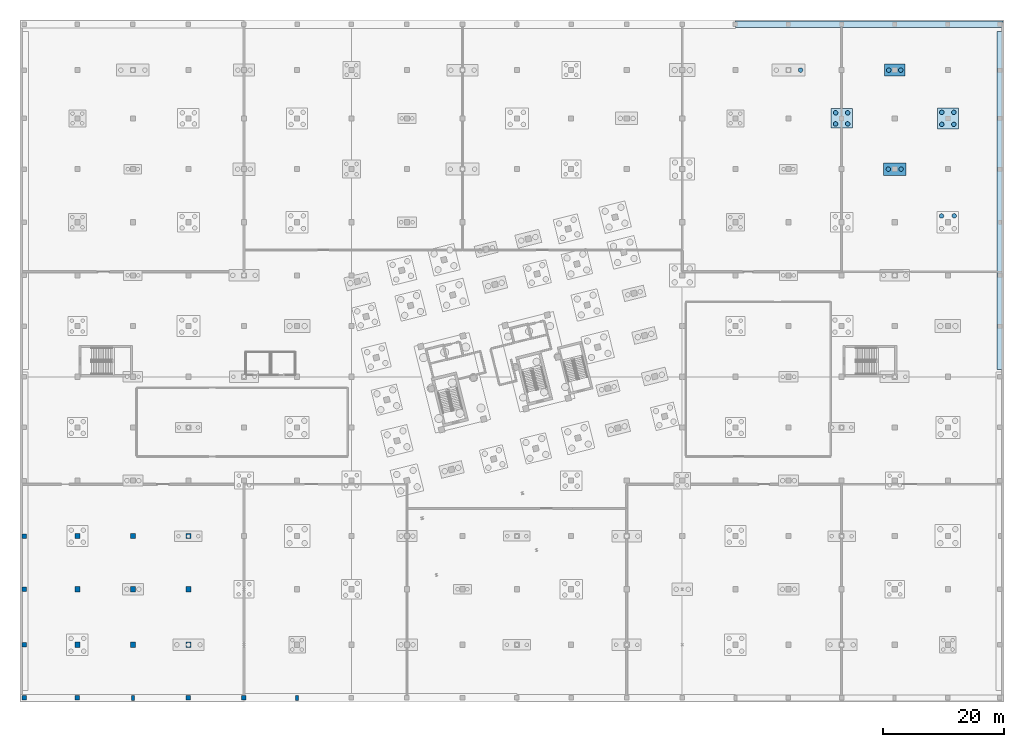
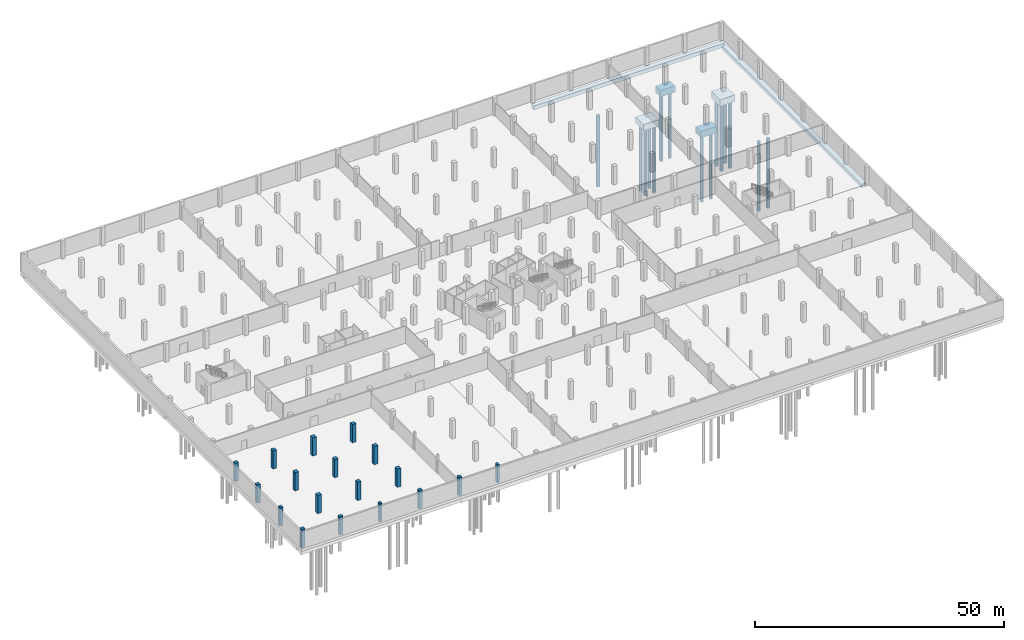
# One storey, part 6 of 29: 18 columns, 15 piles, 6 footings.
"""IFC4 building model written with IfcOpenShell, lengths in metres."""

from ifc_helpers import new_model, si_unit, direction, frame, origin, origin_2d, place, context, subcontext, project, spatial, rectangle, circle, extrude, material, layer, layer_set, material_profile, profile_set, type_object, element, save


model = new_model("IFC4")

# Units and contexts
model_context = context("Model", 3, precision=1e-05, world=origin(), true_north=direction((0.0, 1.0)))
body_context = subcontext(model_context, "Body", "Model", "MODEL_VIEW")
ifc_project = project(units=[si_unit("LENGTHUNIT", "METRE"), si_unit("AREAUNIT", "SQUARE_METRE"), si_unit("VOLUMEUNIT", "CUBIC_METRE"), si_unit("PLANEANGLEUNIT", "RADIAN"), si_unit("MASSUNIT", "GRAM", prefix="KILO")], contexts=[model_context])

# Site, building, storey
site_placement = place(None, origin())
site = spatial("IfcSite", under=ifc_project, at=site_placement, CompositionType="ELEMENT")
building_placement = place(site_placement, origin())
building = spatial("IfcBuilding", under=site, at=building_placement, Name="Meriwether Solvik Hall", CompositionType="ELEMENT")
storey_placement = place(building_placement, frame((0.0, 0.0, -9.0)))
storey = spatial("IfcBuildingStorey", under=building, at=storey_placement, Name="B02", CompositionType="ELEMENT", Elevation=-9.0)

# Footings
ifc_material_1 = material(Name="Concrete C40/50", Category="concrete")
ifc_layer_1 = layer(ifc_material_1, 1.550048828125)
ifc_layer_set_1 = layer_set([ifc_layer_1], Name="Concrete C40/50")
footing_type_1 = type_object("IfcFootingType", Name="FTG-PC-3450X2000X1550", PredefinedType="PILE_CAP", material=ifc_layer_set_1)
footing_1_placement = place(storey_placement, frame((149.39990234375, 109.199951171875, -2.14990234375), z_axis=(0.0, 0.0, 1.0), x_axis=(1.0, 0.0, 0.0)))
element("IfcFooting", 1, at=footing_1_placement, inside=storey, type_object=footing_type_1, Name="Pile Cap pod_17_M", PredefinedType="PILE_CAP", context=body_context, shape_type="SweptSolid", body=[
    extrude(rectangle(XDim=3.449951171875, YDim=2.0, at=origin_2d()), origin(), (0.0, 0.0, 1.0), 1.550048828125),
])
ifc_material_2 = material(Name="Concrete C40/50", Category="concrete")
ifc_layer_2 = layer(ifc_material_2, 1.64990234375)
ifc_layer_set_2 = layer_set([ifc_layer_2], Name="Concrete C40/50")
footing_type_2 = type_object("IfcFootingType", Name="FTG-PC-3450X3450X1650", PredefinedType="PILE_CAP", material=ifc_layer_set_2)
footing_2_placement = place(storey_placement, frame((158.199951171875, 101.199951171875, -2.25), z_axis=(0.0, 0.0, 1.0), x_axis=(1.0, 0.0, 0.0)))
element("IfcFooting", 2, at=footing_2_placement, inside=storey, type_object=footing_type_2, Name="Pile Cap pod_18_L", PredefinedType="PILE_CAP", context=body_context, shape_type="SweptSolid", body=[
    extrude(rectangle(XDim=3.449951171875, YDim=3.449951171875, at=origin_2d()), origin(), (0.0, 0.0, 1.0), 1.64990234375),
])
ifc_material_3 = material(Name="Concrete C40/50", Category="concrete")
ifc_layer_3 = layer(ifc_material_3, 1.550048828125)
ifc_layer_set_3 = layer_set([ifc_layer_3], Name="Concrete C40/50")
footing_type_3 = type_object("IfcFootingType", Name="FTG-PC-3550X3200X1550", PredefinedType="PILE_CAP", material=ifc_layer_set_3)
footing_3_placement = place(storey_placement, frame((140.60009765625, 101.199951171875, -2.14990234375), z_axis=(0.0, 0.0, 1.0), x_axis=(1.0, 0.0, 0.0)))
element("IfcFooting", 3, at=footing_3_placement, inside=storey, type_object=footing_type_3, Name="Pile Cap pod_16_L", PredefinedType="PILE_CAP", context=body_context, shape_type="SweptSolid", body=[
    extrude(rectangle(XDim=3.550048828125, YDim=3.199951171875, at=origin_2d()), origin(), (0.0, 0.0, 1.0), 1.550048828125),
])
ifc_material_4 = material(Name="Concrete C40/50", Category="concrete")
ifc_layer_4 = layer(ifc_material_4, 1.60009765625)
ifc_layer_set_4 = layer_set([ifc_layer_4], Name="Concrete C40/50")
footing_type_4 = type_object("IfcFootingType", Name="FTG-PC-3650X2100X1600", PredefinedType="PILE_CAP", material=ifc_layer_set_4)
footing_4_placement = place(storey_placement, frame((149.39990234375, 92.800048828125, -2.199951171875), z_axis=(0.0, 0.0, 1.0), x_axis=(1.0, 0.0, 0.0)))
element("IfcFooting", 4, at=footing_4_placement, inside=storey, type_object=footing_type_4, Name="Pile Cap pod_17_K", PredefinedType="PILE_CAP", context=body_context, shape_type="SweptSolid", body=[
    extrude(rectangle(XDim=3.64990234375, YDim=2.10009765625, at=origin_2d()), origin(), (0.0, 0.0, 1.0), 1.60009765625),
])
ifc_material_5 = material(Name="Concrete C40/50", Category="concrete")
ifc_layer_5 = layer(ifc_material_5, 0.85009765625)
ifc_layer_set_5 = layer_set([ifc_layer_5], Name="Concrete C40/50")
footing_type_5 = type_object("IfcFootingType", Name="FTG-SF-1000X850", PredefinedType="STRIP_FOOTING", material=ifc_layer_set_5)
footing_5_placement = place(storey_placement, frame((166.800048828125, 87.60009765625, -1.449951171875), z_axis=(0.0, 0.0, 1.0), x_axis=(0.0, 1.0, 0.0)))
element("IfcFooting", 5, at=footing_5_placement, inside=storey, type_object=footing_type_5, Name="Perimeter Strip Footing SF_E2", PredefinedType="STRIP_FOOTING", context=body_context, shape_type="SweptSolid", body=[
    extrude(rectangle(XDim=56.0, YDim=1.0, at=origin_2d()), origin(), (0.0, 0.0, 1.0), 0.85009765625),
])
ifc_material_6 = material(Name="Concrete C40/50", Category="concrete")
ifc_layer_6 = layer(ifc_material_6, 0.949951171875)
ifc_layer_set_6 = layer_set([ifc_layer_6], Name="Concrete C40/50")
footing_type_6 = type_object("IfcFootingType", Name="FTG-SF-1100X950", PredefinedType="STRIP_FOOTING", material=ifc_layer_set_6)
footing_6_placement = place(storey_placement, frame((145.14990234375, 116.800048828125, -1.5498046875), z_axis=(0.0, 0.0, 1.0), x_axis=(1.0, 0.0, 0.0)))
element("IfcFooting", 6, at=footing_6_placement, inside=storey, type_object=footing_type_6, Name="Perimeter Strip Footing SF_N4", PredefinedType="STRIP_FOOTING", context=body_context, shape_type="SweptSolid", body=[
    extrude(rectangle(XDim=44.300048828125, YDim=1.10009765625, at=origin_2d()), origin(), (0.0, 0.0, 1.0), 0.949951171875),
])

# Piles
ifc_material_7 = material(Name="Concrete C40/50", Category="concrete")
ifc_material_profile_1 = material_profile(ifc_material_7, circle(Radius=0.375, at=origin_2d()), Name="PILE-D750")
ifc_profile_set_1 = profile_set([ifc_material_profile_1], Name="Concrete C40/50")
pile_type = type_object("IfcPileType", Name="PILE-BORED-750", PredefinedType="BORED", material=ifc_profile_set_1)
pile_placement = place(storey_placement, frame((133.800048828125, 109.199951171875, -2.22998046875), z_axis=(0.0, 0.0, -1.0), x_axis=(1.0, 0.0, 0.0)))
element("IfcPile", 7, at=pile_placement, inside=storey, type_object=pile_type, Name="Bored Pile P-335", PredefinedType="BORED", context=body_context, shape_type="SweptSolid", body=[
    extrude(circle(Radius=0.375, at=origin_2d()), origin(), (0.0, 0.0, 1.0), 17.5),
])
for number, where, z_axis, x_axis, name in (
    (8, (139.60009765625, 100.280029296875, -2.030029296875), (0.0, 0.0, -1.0), (1.0, 0.0, 0.0), "Bored Pile P-353"),
    (9, (141.60009765625, 100.280029296875, -2.030029296875), (0.0, 0.0, -1.0), (1.0, 0.0, 0.0), "Bored Pile P-354"),
    (10, (139.60009765625, 102.1201171875, -2.030029296875), (0.0, 0.0, -1.0), (1.0, 0.0, 0.0), "Bored Pile P-355"),
    (11, (141.60009765625, 102.1201171875, -2.030029296875), (0.0, 0.0, -1.0), (1.0, 0.0, 0.0), "Bored Pile P-356"),
    (12, (148.35009765625, 92.800048828125, -2.080078125), (0.0, 0.0, -1.0), (1.0, 0.0, 0.0), "Bored Pile P-371"),
    (13, (150.449951171875, 92.800048828125, -2.080078125), (0.0, 0.0, -1.0), (1.0, 0.0, 0.0), "Bored Pile P-372"),
    (14, (148.39990234375, 109.199951171875, -2.030029296875), (0.0, 0.0, -1.0), (1.0, 0.0, 0.0), "Bored Pile P-373"),
    (15, (150.39990234375, 109.199951171875, -2.030029296875), (0.0, 0.0, -1.0), (1.0, 0.0, 0.0), "Bored Pile P-374"),
):
    element("IfcPile", number, at=place(storey_placement, frame(where, z_axis=z_axis, x_axis=x_axis)), inside=storey, type_object=pile_type, Name=name, PredefinedType="BORED", context=body_context, shape_type="SweptSolid", body=[
        extrude(circle(Radius=0.375, at=origin_2d()), origin(), (0.0, 0.0, 1.0), 16.5),
    ])
for number, where, z_axis, x_axis, name in (
    (16, (157.14990234375, 85.050048828125, -2.179931640625), (0.0, 0.0, -1.0), (1.0, 0.0, 0.0), "Bored Pile P-391"),
    (17, (159.25, 85.050048828125, -2.179931640625), (0.0, 0.0, -1.0), (1.0, 0.0, 0.0), "Bored Pile P-392"),
):
    element("IfcPile", number, at=place(storey_placement, frame(where, z_axis=z_axis, x_axis=x_axis)), inside=storey, type_object=pile_type, Name=name, PredefinedType="BORED", context=body_context, shape_type="SweptSolid", body=[
        extrude(circle(Radius=0.375, at=origin_2d()), origin(), (0.0, 0.0, 1.0), 17.0),
    ])
for number, where, z_axis, x_axis, name in (
    (18, (157.199951171875, 100.199951171875, -2.1298828125), (0.0, 0.0, -1.0), (1.0, 0.0, 0.0), "Bored Pile P-393"),
    (19, (159.199951171875, 100.199951171875, -2.1298828125), (0.0, 0.0, -1.0), (1.0, 0.0, 0.0), "Bored Pile P-394"),
    (20, (157.199951171875, 102.199951171875, -2.1298828125), (0.0, 0.0, -1.0), (1.0, 0.0, 0.0), "Bored Pile P-395"),
    (21, (159.199951171875, 102.199951171875, -2.1298828125), (0.0, 0.0, -1.0), (1.0, 0.0, 0.0), "Bored Pile P-396"),
):
    element("IfcPile", number, at=place(storey_placement, frame(where, z_axis=z_axis, x_axis=x_axis)), inside=storey, type_object=pile_type, Name=name, PredefinedType="BORED", context=body_context, shape_type="SweptSolid", body=[
        extrude(circle(Radius=0.375, at=origin_2d()), origin(), (0.0, 0.0, 1.0), 16.5),
    ])

# Columns
ifc_material_8 = material(Name="Concrete C40/50", Category="concrete")
ifc_material_profile_2 = material_profile(ifc_material_8, rectangle(XDim=0.75, YDim=0.75, at=origin_2d()), Name="RCC-750X750")
ifc_profile_set_2 = profile_set([ifc_material_profile_2], Name="Concrete C40/50")
column_type_1 = type_object("IfcColumnType", Name="COL-RC-750", PredefinedType="COLUMN", material=ifc_profile_set_2)
for number, where, z_axis, x_axis, name in (
    (22, (5.199951171875, 5.199951171875, 0.0), (0.0, 0.0, 1.0), (1.0, 0.0, 0.0), "Podium Column 1/A (B02)"),
    (23, (5.199951171875, 14.0, 0.0), (0.0, 0.0, 1.0), (1.0, 0.0, 0.0), "Podium Column 1/B (B02)"),
    (24, (5.199951171875, 23.199951171875, 0.0), (0.0, 0.0, 1.0), (1.0, 0.0, 0.0), "Podium Column 1/C (B02)"),
    (25, (5.199951171875, 32.0, 0.0), (0.0, 0.0, 1.0), (1.0, 0.0, 0.0), "Podium Column 1/D (B02)"),
    (26, (14.0, 5.199951171875, 0.0), (0.0, 0.0, 1.0), (1.0, 0.0, 0.0), "Podium Column 2/A (B02)"),
    (27, (32.39990234375, 5.199951171875, 0.0), (0.0, 0.0, 1.0), (1.0, 0.0, 0.0), "Podium Column 4/A (B02)"),
    (28, (41.60009765625, 5.199951171875, 0.0), (0.0, 0.0, 1.0), (1.0, 0.0, 0.0), "Podium Column 5/A (B02)"),
):
    element("IfcColumn", number, at=place(storey_placement, frame(where, z_axis=z_axis, x_axis=x_axis)), inside=storey, type_object=column_type_1, Name=name, PredefinedType="COLUMN", context=body_context, shape_type="SweptSolid", body=[
        extrude(rectangle(XDim=0.75, YDim=0.75, at=origin_2d()), origin(), (0.0, 0.0, 1.0), 4.5),
    ])
ifc_material_9 = material(Name="Concrete C40/50", Category="concrete")
ifc_material_profile_3 = material_profile(ifc_material_9, rectangle(XDim=0.85009765625, YDim=0.85009765625, at=origin_2d()), Name="RCC-850X850")
ifc_profile_set_3 = profile_set([ifc_material_profile_3], Name="Concrete C40/50")
column_type_2 = type_object("IfcColumnType", Name="COL-RC-850", PredefinedType="COLUMN", material=ifc_profile_set_3)
for number, where, z_axis, x_axis, name in (
    (29, (14.0, 14.0, 0.0), (0.0, 0.0, 1.0), (1.0, 0.0, 0.0), "Podium Column 2/B (B02)"),
    (30, (14.0, 23.199951171875, 0.0), (0.0, 0.0, 1.0), (1.0, 0.0, 0.0), "Podium Column 2/C (B02)"),
    (31, (14.0, 32.0, 0.0), (0.0, 0.0, 1.0), (1.0, 0.0, 0.0), "Podium Column 2/D (B02)"),
    (32, (23.199951171875, 14.0, 0.0), (0.0, 0.0, 1.0), (1.0, 0.0, 0.0), "Podium Column 3/B (B02)"),
    (33, (23.199951171875, 23.199951171875, 0.0), (0.0, 0.0, 1.0), (1.0, 0.0, 0.0), "Podium Column 3/C (B02)"),
    (34, (23.199951171875, 32.0, 0.0), (0.0, 0.0, 1.0), (1.0, 0.0, 0.0), "Podium Column 3/D (B02)"),
    (35, (32.39990234375, 14.0, 0.0), (0.0, 0.0, 1.0), (1.0, 0.0, 0.0), "Podium Column 4/B (B02)"),
    (36, (32.39990234375, 23.199951171875, 0.0), (0.0, 0.0, 1.0), (1.0, 0.0, 0.0), "Podium Column 4/C (B02)"),
    (37, (32.39990234375, 32.0, 0.0), (0.0, 0.0, 1.0), (1.0, 0.0, 0.0), "Podium Column 4/D (B02)"),
):
    element("IfcColumn", number, at=place(storey_placement, frame(where, z_axis=z_axis, x_axis=x_axis)), inside=storey, type_object=column_type_2, Name=name, PredefinedType="COLUMN", context=body_context, shape_type="SweptSolid", body=[
        extrude(rectangle(XDim=0.85009765625, YDim=0.85009765625, at=origin_2d()), origin(), (0.0, 0.0, 1.0), 4.5),
    ])
ifc_material_10 = material(Name="Concrete C40/50", Category="concrete")
ifc_material_profile_4 = material_profile(ifc_material_10, rectangle(XDim=0.5, YDim=0.800048828125, at=origin_2d()), Name="RCP-500X800")
ifc_profile_set_4 = profile_set([ifc_material_profile_4], Name="Concrete C40/50")
column_type_3 = type_object("IfcColumnType", Name="PIL-RC-500X800", PredefinedType="PILASTER", material=ifc_profile_set_4)
for number, where, z_axis, x_axis, name in (
    (38, (23.199951171875, 5.199951171875, 0.0), (0.0, 0.0, 1.0), (1.0, 0.0, 0.0), "Podium Column 3/A (B02)"),
    (39, (50.39990234375, 5.199951171875, 0.0), (0.0, 0.0, 1.0), (1.0, 0.0, 0.0), "Podium Column 6/A (B02)"),
):
    element("IfcColumn", number, at=place(storey_placement, frame(where, z_axis=z_axis, x_axis=x_axis)), inside=storey, type_object=column_type_3, Name=name, PredefinedType="PILASTER", context=body_context, shape_type="SweptSolid", body=[
        extrude(rectangle(XDim=0.5, YDim=0.800048828125, at=origin_2d()), origin(), (0.0, 0.0, 1.0), 4.5),
    ])

save(model, "model.ifc")
